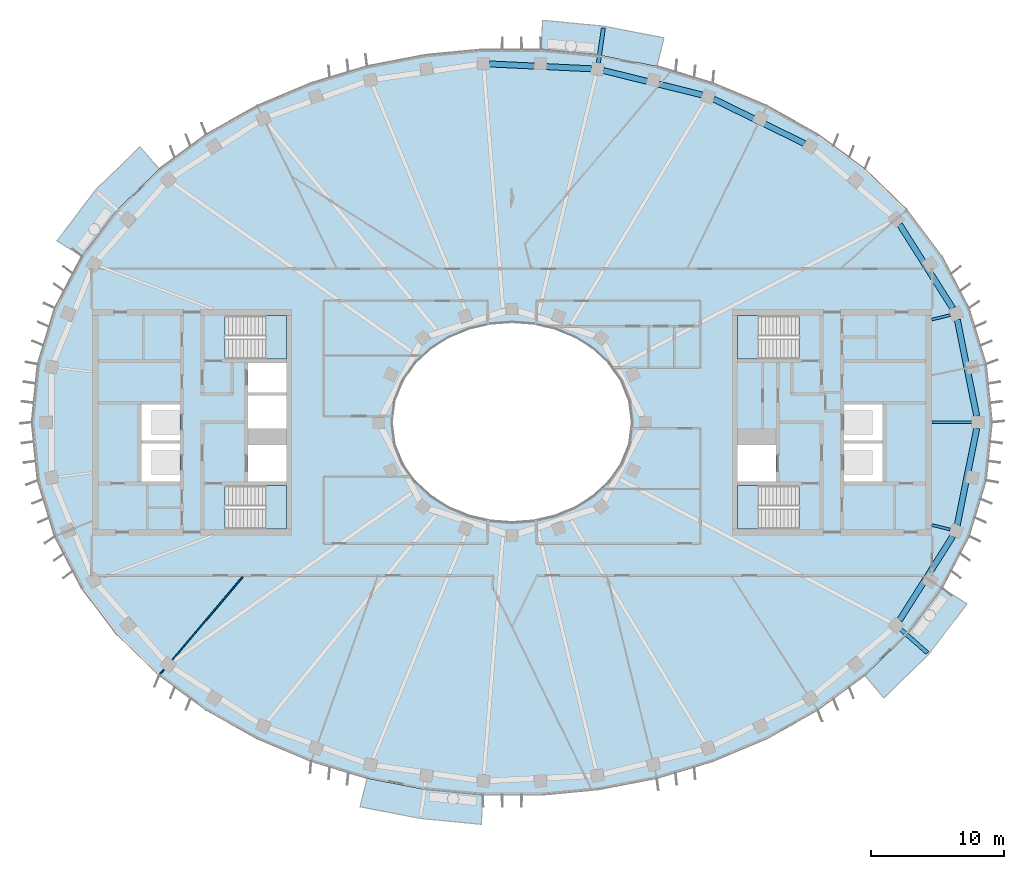
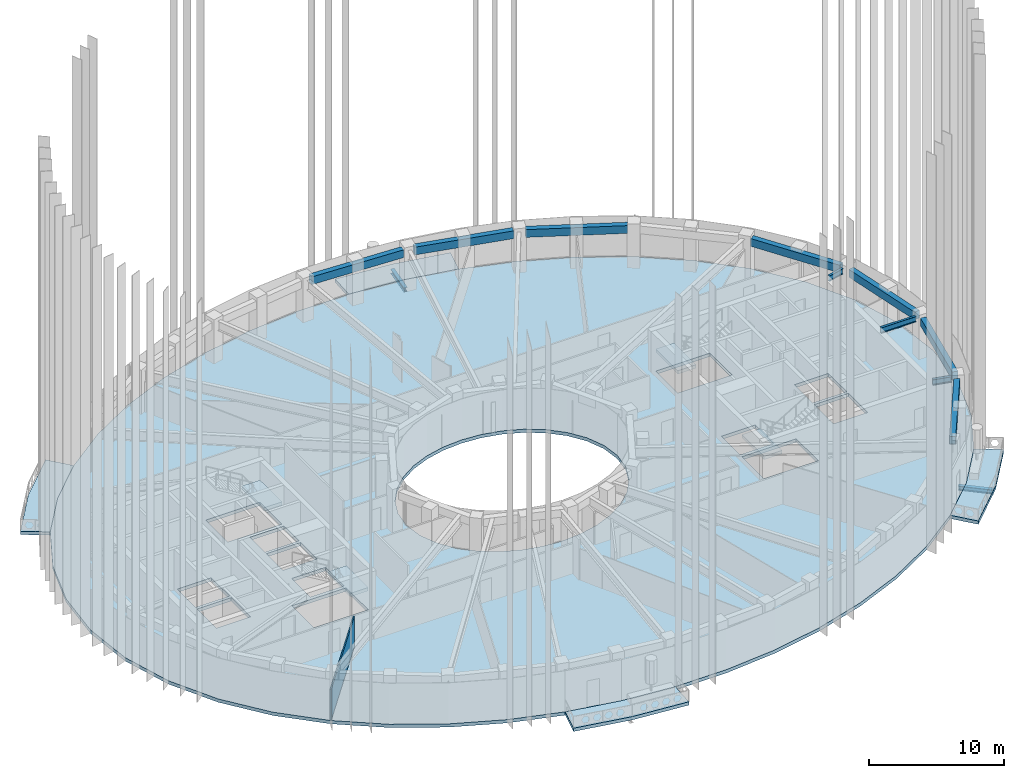
# One storey, part 2 of 17: 12 beams, 9 slabs, 1 wall, 4 elements without a shape of their own.
"""IFC4 building model written with IfcOpenShell, lengths in metres."""

from ifc_helpers import new_model, si_unit, direction, frame, frame_2d, origin, origin_2d, place, context, subcontext, project, spatial, polyline, rectangle, i_section, outline, extrude, material, layer, layer_set, material_profile, profile_set, type_object, element, aggregate, save


model = new_model("IFC4")

# Units and contexts
model_context = context("Model", 3, precision=1e-05, world=origin(), true_north=direction((0.0, 1.0)))
body_context = subcontext(model_context, "Body", "Model", "MODEL_VIEW")
ifc_project = project(units=[si_unit("LENGTHUNIT", "METRE"), si_unit("AREAUNIT", "SQUARE_METRE"), si_unit("VOLUMEUNIT", "CUBIC_METRE"), si_unit("PLANEANGLEUNIT", "RADIAN"), si_unit("MASSUNIT", "GRAM", prefix="KILO")], contexts=[model_context])

# Site, building, storey
site_placement = place(None, origin())
site = spatial("IfcSite", under=ifc_project, at=site_placement, CompositionType="ELEMENT")
building_placement = place(site_placement, origin())
building = spatial("IfcBuilding", under=site, at=building_placement, Name="Noorbagh Ring Tower", CompositionType="ELEMENT")
storey_placement = place(building_placement, frame((0.0, 0.0, 291.0)))
storey = spatial("IfcBuildingStorey", under=building, at=storey_placement, Name="L62", CompositionType="ELEMENT", Elevation=291.0)

# Beams
ifc_material_1 = material(Name="Steel S355", Category="steel")
ifc_material_profile_1 = material_profile(ifc_material_1, i_section(OverallWidth=0.300048828125, OverallDepth=0.39990234375, WebThickness=0.013427734375, FlangeThickness=0.02392578125, FilletRadius=0.027099609375, at=origin_2d()), Name="HEB400")
ifc_profile_set_1 = profile_set([ifc_material_profile_1], Name="Steel S355")
beam_type_1 = type_object("IfcBeamType", Name="STR-BALCONY-BRACKET-HEB400", PredefinedType="BEAM", material=ifc_profile_set_1)
beam_1_placement = place(storey_placement, frame((6.474365234375, 26.941162109375, -0.5), z_axis=(0.143047035154, 0.989715891422, 0.0), x_axis=(-0.989715891422, 0.143047035154, 0.0)))
element("IfcBeam", 1, at=beam_1_placement, inside=storey, type_object=beam_type_1, Name="Balcony bracket beam BN03", PredefinedType="BEAM", context=body_context, shape_type="SweptSolid", body=[
    extrude(i_section(OverallWidth=0.300048828125, OverallDepth=0.39990234375, WebThickness=0.013427734375, FlangeThickness=0.02392578125, FilletRadius=0.027099609375, at=origin_2d()), origin(), (0.0, 0.0, 1.0), 2.64892578125),
])
beam_2_placement = place(storey_placement, frame((29.15966796875, -15.531982421875, -0.5), z_axis=(0.749056248736, -0.662506404671, 0.0), x_axis=(0.662506404671, 0.749056248736, 0.0)))
element("IfcBeam", 2, at=beam_2_placement, inside=storey, type_object=beam_type_1, Name="Balcony bracket beam BS06", PredefinedType="BEAM", context=body_context, shape_type="SweptSolid", body=[
    extrude(i_section(OverallWidth=0.300048828125, OverallDepth=0.39990234375, WebThickness=0.013427734375, FlangeThickness=0.02392578125, FilletRadius=0.027099609375, at=origin_2d()), origin(), (0.0, 0.0, 1.0), 2.654296875),
])
ifc_material_2 = material(Name="Steel S355", Category="steel")
ifc_material_profile_2 = material_profile(ifc_material_2, i_section(OverallWidth=0.199951171875, OverallDepth=0.5, WebThickness=0.01025390625, FlangeThickness=0.01611328125, FilletRadius=0.02099609375, at=origin_2d()), Name="IPE500")
ifc_profile_set_2 = profile_set([ifc_material_profile_2], Name="Steel S355")
beam_type_2 = type_object("IfcBeamType", Name="STR-RAD-IPE500", PredefinedType="BEAM", material=ifc_profile_set_2)
beam_3_placement = place(storey_placement, frame((34.48974609375, 0.0, 3.449951171875), z_axis=(-1.0, 0.0, 0.0), x_axis=(0.0, -1.0, 0.0)))
element("IfcBeam", 3, at=beam_3_placement, inside=storey, type_object=beam_type_2, Name="L62/bm/RD01", PredefinedType="BEAM", context=body_context, shape_type="SweptSolid", body=[
    extrude(i_section(OverallWidth=0.199951171875, OverallDepth=0.5, WebThickness=0.01025390625, FlangeThickness=0.01611328125, FilletRadius=0.02099609375, at=origin_2d()), origin(), (0.0, 0.0, 1.0), 3.009765625),
])
for number, where, z_axis, x_axis, name in (
    (4, (32.858154296875, 8.0400390625, 3.449951171875), (-0.971335445274, -0.237712962949, 0.0), (0.237712962949, -0.971335445274, 0.0), "L62/bm/RD03"),
    (5, (32.858154296875, -8.0400390625, 3.449951171875), (-0.971335445274, 0.237712962949, 0.0), (-0.237712962949, -0.971335445274, 0.0), "L62/bm/RD45"),
):
    element("IfcBeam", number, at=place(storey_placement, frame(where, z_axis=z_axis, x_axis=x_axis)), inside=storey, type_object=beam_type_2, Name=name, PredefinedType="BEAM", context=body_context, shape_type="SweptSolid", body=[
        extrude(i_section(OverallWidth=0.199951171875, OverallDepth=0.5, WebThickness=0.01025390625, FlangeThickness=0.01611328125, FilletRadius=0.02099609375, at=origin_2d()), origin(), (0.0, 0.0, 1.0), 1.41845703125),
    ])
ifc_material_3 = material(Name="Concrete C40/50", Category="concrete")
ifc_material_profile_3 = material_profile(ifc_material_3, rectangle(XDim=0.449951171875, YDim=0.699951171875, at=origin_2d()), Name="RC450x700")
ifc_profile_set_3 = profile_set([ifc_material_profile_3], Name="Concrete C40/50")
beam_type_3 = type_object("IfcBeamType", Name="STR-SB-RC450x700-C40-50", PredefinedType="BEAM", material=ifc_profile_set_3)
beam_4_placement = place(storey_placement, frame((34.85302734375, 0.455322265625, 3.35009765625), z_axis=(-0.197209573264, 0.980361353896, 0.0), x_axis=(-0.980361353896, -0.197209573264, 0.0)))
element("IfcBeam", 6, at=beam_4_placement, inside=storey, type_object=beam_type_3, Name="L62/bm/SP01", PredefinedType="BEAM", context=body_context, shape_type="SweptSolid", body=[
    extrude(rectangle(XDim=0.449951171875, YDim=0.699951171875, at=origin_2d()), origin(), (0.0, 0.0, 1.0), 7.384521484375),
])
beam_5_placement = place(storey_placement, frame((33.0576171875, 8.5400390625, 3.35009765625), z_axis=(-0.535175885378, 0.84474065352, 0.0), x_axis=(-0.84474065352, -0.535175885378, 0.0)))
element("IfcBeam", 7, at=beam_5_placement, inside=storey, type_object=beam_type_3, Name="L62/bm/SP03", PredefinedType="BEAM", context=body_context, shape_type="SweptSolid", body=[
    extrude(rectangle(XDim=0.449951171875, YDim=0.699951171875, at=origin_2d()), origin(), (0.0, 0.0, 1.0), 7.459228515625),
])
beam_6_placement = place(storey_placement, frame((21.9501953125, 20.9013671875, 3.35009765625), z_axis=(-0.898405762579, 0.43916635318, 0.0), x_axis=(-0.43916635318, -0.898405762579, 0.0)))
element("IfcBeam", 8, at=beam_6_placement, inside=storey, type_object=beam_type_3, Name="L62/bm/SP07", PredefinedType="BEAM", context=body_context, shape_type="SweptSolid", body=[
    extrude(rectangle(XDim=0.449951171875, YDim=0.699951171875, at=origin_2d()), origin(), (0.0, 0.0, 1.0), 7.6015625),
])
beam_7_placement = place(storey_placement, frame((14.265380859375, 24.550537109375, 3.35009765625), z_axis=(-0.970830763324, 0.239765779427, 0.0), x_axis=(-0.239765779427, -0.970830763324, 0.0)))
element("IfcBeam", 9, at=beam_7_placement, inside=storey, type_object=beam_type_3, Name="L62/bm/SP09", PredefinedType="BEAM", context=body_context, shape_type="SweptSolid", body=[
    extrude(rectangle(XDim=0.449951171875, YDim=0.699951171875, at=origin_2d()), origin(), (0.0, 0.0, 1.0), 7.634765625),
])
beam_8_placement = place(storey_placement, frame((5.95263671875, 26.5126953125, 3.35009765625), z_axis=(-0.998869653919, 0.047533298648, 0.0), x_axis=(-0.047533298648, -0.998869653919, 0.0)))
element("IfcBeam", 10, at=beam_8_placement, inside=storey, type_object=beam_type_3, Name="L62/bm/SP11", PredefinedType="BEAM", context=body_context, shape_type="SweptSolid", body=[
    extrude(rectangle(XDim=0.449951171875, YDim=0.699951171875, at=origin_2d()), origin(), (0.0, 0.0, 1.0), 7.647705078125),
])
beam_9_placement = place(storey_placement, frame((29.065673828125, -14.841064453125, 3.35009765625), z_axis=(0.535175885378, 0.84474065352, 0.0), x_axis=(-0.84474065352, 0.535175885378, 0.0)))
element("IfcBeam", 11, at=beam_9_placement, inside=storey, type_object=beam_type_3, Name="L62/bm/SP43", PredefinedType="BEAM", context=body_context, shape_type="SweptSolid", body=[
    extrude(rectangle(XDim=0.449951171875, YDim=0.699951171875, at=origin_2d()), origin(), (0.0, 0.0, 1.0), 7.459228515625),
])
beam_10_placement = place(storey_placement, frame((33.396728515625, -7.69482421875, 3.35009765625), z_axis=(0.197209573264, 0.980361353896, 0.0), x_axis=(-0.980361353896, 0.197209573264, 0.0)))
element("IfcBeam", 12, at=beam_10_placement, inside=storey, type_object=beam_type_3, Name="L62/bm/SP45", PredefinedType="BEAM", context=body_context, shape_type="SweptSolid", body=[
    extrude(rectangle(XDim=0.449951171875, YDim=0.699951171875, at=origin_2d()), origin(), (0.0, 0.0, 1.0), 7.384521484375),
])

# Stair, slab
ifc_material_4 = material(Name="Concrete C40/50", Category="concrete")
stair_type = type_object("IfcStairType", Name="CORE-STAIR", PredefinedType="HALF_TURN_STAIR", material=ifc_material_4)
stair_1_placement = place(storey_placement, origin())
stair_1 = element("IfcStair", 13, at=stair_1_placement, inside=storey, type_object=stair_type, Name="L62 Exit stair ST1", PredefinedType="HALF_TURN_STAIR")
ifc_material_5 = material(Name="Concrete C40/50", Category="concrete")
ifc_layer_1 = layer(ifc_material_5, 0.300048828125)
ifc_layer_set_1 = layer_set([ifc_layer_1], Name="Concrete C40/50")
slab_type_1 = type_object("IfcSlabType", Name="CORE-STAIR-LANDING", PredefinedType="LANDING", material=ifc_layer_set_1)
slab_1_placement = place(storey_placement, frame((0.0, 0.0, 1.699951171875)))
slab_1 = element("IfcSlab", 14, at=slab_1_placement, type_object=slab_type_1, Name="ST1 landing 1", PredefinedType="LANDING", context=body_context, shape_type="SweptSolid", body=[
    extrude(outline(polyline([(-18.449951171875, 4.75), (-16.89990234375, 4.75), (-16.89990234375, 8.0), (-18.449951171875, 8.0), (-18.449951171875, 4.75)])), origin(), (0.0, 0.0, 1.0), 0.300048828125),
])
aggregate(stair_1, [slab_1])

stair_2_placement = place(storey_placement, origin())
stair_2 = element("IfcStair", 15, at=stair_2_placement, inside=storey, type_object=stair_type, Name="L62 Exit stair ST2", PredefinedType="HALF_TURN_STAIR")
slab_2_placement = place(storey_placement, frame((0.0, 0.0, 1.699951171875)))
slab_2 = element("IfcSlab", 16, at=slab_2_placement, type_object=slab_type_1, Name="ST2 landing 1", PredefinedType="LANDING", context=body_context, shape_type="SweptSolid", body=[
    extrude(outline(polyline([(-18.449951171875, -8.0), (-16.89990234375, -8.0), (-16.89990234375, -4.75), (-18.449951171875, -4.75), (-18.449951171875, -8.0)])), origin(), (0.0, 0.0, 1.0), 0.300048828125),
])
aggregate(stair_2, [slab_2])

stair_3_placement = place(storey_placement, origin())
stair_3 = element("IfcStair", 17, at=stair_3_placement, inside=storey, type_object=stair_type, Name="L62 Exit stair ST3", PredefinedType="HALF_TURN_STAIR")
slab_3_placement = place(storey_placement, frame((0.0, 0.0, 1.699951171875)))
slab_3 = element("IfcSlab", 18, at=slab_3_placement, type_object=slab_type_1, Name="ST3 landing 1", PredefinedType="LANDING", context=body_context, shape_type="SweptSolid", body=[
    extrude(outline(polyline([(18.449951171875, 8.0), (16.89990234375, 8.0), (16.89990234375, 4.75), (18.449951171875, 4.75), (18.449951171875, 8.0)])), origin(), (0.0, 0.0, 1.0), 0.300048828125),
])
aggregate(stair_3, [slab_3])

stair_4_placement = place(storey_placement, origin())
stair_4 = element("IfcStair", 19, at=stair_4_placement, inside=storey, type_object=stair_type, Name="L62 Exit stair ST4", PredefinedType="HALF_TURN_STAIR")
slab_4_placement = place(storey_placement, frame((0.0, 0.0, 1.699951171875)))
slab_4 = element("IfcSlab", 20, at=slab_4_placement, type_object=slab_type_1, Name="ST4 landing 1", PredefinedType="LANDING", context=body_context, shape_type="SweptSolid", body=[
    extrude(outline(polyline([(18.449951171875, -4.75), (16.89990234375, -4.75), (16.89990234375, -8.0), (18.449951171875, -8.0), (18.449951171875, -4.75)])), origin(), (0.0, 0.0, 1.0), 0.300048828125),
])
aggregate(stair_4, [slab_4])

# Slabs
ifc_material_6 = material(Name="Concrete C40/50", Category="concrete")
ifc_layer_2 = layer(ifc_material_6, 0.300048828125)
ifc_layer_set_2 = layer_set([ifc_layer_2], Name="Concrete C40/50")
slab_type_2 = type_object("IfcSlabType", Name="ENV-BALCONY DECK 300", PredefinedType="FLOOR", material=ifc_layer_set_2)
slab_5_placement = place(storey_placement, frame((0.0, 0.0, -0.300048828125)))
element("IfcSlab", 21, at=slab_5_placement, inside=storey, type_object=slab_type_2, Name="Tree balcony deck BN03", PredefinedType="FLOOR", context=body_context, shape_type="SweptSolid", body=[
    extrude(outline(polyline([(11.3935546875, 28.832763671875), (6.874755859375, 29.711181640625), (2.2978515625, 30.14794921875), (2.193115234375, 27.947998046875), (6.5595703125, 27.53125), (10.865234375, 26.6943359375), (11.3935546875, 28.832763671875)])), origin(), (0.0, 0.0, 1.0), 0.300048828125),
])
slab_6_placement = place(storey_placement, frame((0.0, 0.0, -0.300048828125)))
element("IfcSlab", 22, at=slab_6_placement, inside=storey, type_object=slab_type_2, Name="Tree balcony deck BN06", PredefinedType="FLOOR", context=body_context, shape_type="SweptSolid", body=[
    extrude(outline(polyline([(-27.888671875, 20.665771484375), (-31.26025390625, 17.389892578125), (-34.120361328125, 13.615966796875), (-32.255126953125, 12.434814453125), (-29.607666015625, 15.92822265625), (-26.463134765625, 18.983154296875), (-27.888671875, 20.665771484375)])), origin(), (0.0, 0.0, 1.0), 0.300048828125),
])
slab_7_placement = place(storey_placement, frame((0.0, 0.0, -0.300048828125)))
element("IfcSlab", 23, at=slab_7_placement, inside=storey, type_object=slab_type_2, Name="Tree balcony deck BS03", PredefinedType="FLOOR", context=body_context, shape_type="SweptSolid", body=[
    extrude(outline(polyline([(-11.3935546875, -28.832763671875), (-6.874755859375, -29.711181640625), (-2.2978515625, -30.14794921875), (-2.193115234375, -27.947998046875), (-6.5595703125, -27.53125), (-10.865234375, -26.6943359375), (-11.3935546875, -28.832763671875)])), origin(), (0.0, 0.0, 1.0), 0.300048828125),
])
slab_8_placement = place(storey_placement, frame((0.0, 0.0, -0.300048828125)))
element("IfcSlab", 24, at=slab_8_placement, inside=storey, type_object=slab_type_2, Name="Tree balcony deck BS06", PredefinedType="FLOOR", context=body_context, shape_type="SweptSolid", body=[
    extrude(outline(polyline([(27.888671875, -20.665771484375), (31.26025390625, -17.389892578125), (34.120361328125, -13.615966796875), (32.255126953125, -12.434814453125), (29.607666015625, -15.92822265625), (26.463134765625, -18.983154296875), (27.888671875, -20.665771484375)])), origin(), (0.0, 0.0, 1.0), 0.300048828125),
])
ifc_material_7 = material(Name="Concrete C40/50", Category="concrete")
ifc_layer_3 = layer(ifc_material_7, 0.300048828125)
ifc_layer_set_3 = layer_set([ifc_layer_3], Name="Concrete C40/50")
slab_type_3 = type_object("IfcSlabType", Name="STR-FLOOR-DECK-300", PredefinedType="FLOOR", material=ifc_layer_set_3)
slab_9_placement = place(storey_placement, frame((0.0, 0.0, -0.300048828125)))
element("IfcSlab", 25, at=slab_9_placement, inside=storey, type_object=slab_type_3, Name="L62/slab/1", PredefinedType="FLOOR", context=body_context, shape_type="SweptSolid", body=[
    extrude(outline(polyline([(36.0, 0.0), (35.56103515625, 4.358642578125), (34.281005859375, 8.548828125), (32.255126953125, 12.434814453125), (29.607666015625, 15.92822265625), (26.463134765625, 18.983154296875), (22.9326171875, 21.583740234375), (19.108154296875, 23.730224609375), (15.0654296875, 25.430419921875), (10.865234375, 26.6943359375), (6.5595703125, 27.53125), (2.193115234375, 27.947998046875), (-2.193115234375, 27.947998046875), (-6.5595703125, 27.53125), (-10.865234375, 26.6943359375), (-15.0654296875, 25.430419921875), (-19.108154296875, 23.730224609375), (-22.9326171875, 21.583740234375), (-26.463134765625, 18.983154296875), (-29.607666015625, 15.92822265625), (-32.255126953125, 12.434814453125), (-34.281005859375, 8.548828125), (-35.56103515625, 4.358642578125), (-36.0, 0.0), (-35.56103515625, -4.358642578125), (-34.281005859375, -8.548828125), (-32.255126953125, -12.434814453125), (-29.607666015625, -15.92822265625), (-26.463134765625, -18.983154296875), (-22.9326171875, -21.583740234375), (-19.108154296875, -23.730224609375), (-15.0654296875, -25.430419921875), (-10.865234375, -26.6943359375), (-6.5595703125, -27.53125), (-2.193115234375, -27.947998046875), (2.193115234375, -27.947998046875), (6.5595703125, -27.53125), (10.865234375, -26.6943359375), (15.0654296875, -25.430419921875), (19.108154296875, -23.730224609375), (22.9326171875, -21.583740234375), (26.463134765625, -18.983154296875), (29.607666015625, -15.92822265625), (32.255126953125, -12.434814453125), (34.281005859375, -8.548828125), (35.56103515625, -4.358642578125), (36.0, 0.0)]), holes=[polyline([(24.89990234375, -1.60009765625), (27.800048828125, -1.60009765625), (27.800048828125, -4.449951171875), (24.89990234375, -4.449951171875), (24.89990234375, -1.60009765625)]), polyline([(24.89990234375, 1.35009765625), (27.800048828125, 1.35009765625), (27.800048828125, -1.35009765625), (24.89990234375, -1.35009765625), (24.89990234375, 1.35009765625)]), polyline([(21.529541015625, -8.0), (16.89990234375, -8.0), (16.89990234375, -4.75), (21.529541015625, -4.75), (21.529541015625, -8.0)]), polyline([(21.529541015625, 4.75), (16.89990234375, 4.75), (16.89990234375, 8.0), (21.529541015625, 8.0), (21.529541015625, 4.75)]), polyline([(16.89990234375, -1.699951171875), (19.800048828125, -1.699951171875), (19.800048828125, -4.449951171875), (16.89990234375, -4.449951171875), (16.89990234375, -1.699951171875)]), polyline([(4.697509765625, -6.3974609375), (3.196533203125, -7.010986328125), (1.6171875, -7.3779296875), (0.0, -7.5), (-1.6171875, -7.3779296875), (-3.196533203125, -7.010986328125), (-4.697509765625, -6.3974609375), (-6.071044921875, -5.53662109375), (-7.2587890625, -4.43408203125), (-8.1904296875, -3.10888671875), (-8.79150390625, -1.605224609375), (-9.0, 0.0), (-8.79150390625, 1.605224609375), (-8.1904296875, 3.10888671875), (-7.2587890625, 4.43408203125), (-6.071044921875, 5.53662109375), (-4.697509765625, 6.3974609375), (-3.196533203125, 7.010986328125), (-1.6171875, 7.3779296875), (0.0, 7.5), (1.6171875, 7.3779296875), (3.196533203125, 7.010986328125), (4.697509765625, 6.3974609375), (6.071044921875, 5.53662109375), (7.2587890625, 4.43408203125), (8.1904296875, 3.10888671875), (8.79150390625, 1.605224609375), (9.0, 0.0), (8.79150390625, -1.605224609375), (8.1904296875, -3.10888671875), (7.2587890625, -4.43408203125), (6.071044921875, -5.53662109375), (4.697509765625, -6.3974609375)]), polyline([(-21.529541015625, -8.0), (-21.529541015625, -4.75), (-16.89990234375, -4.75), (-16.89990234375, -8.0), (-21.529541015625, -8.0)]), polyline([(-21.529541015625, 4.75), (-21.529541015625, 8.0), (-16.89990234375, 8.0), (-16.89990234375, 4.75), (-21.529541015625, 4.75)]), polyline([(-16.89990234375, -4.449951171875), (-19.800048828125, -4.449951171875), (-19.800048828125, -1.699951171875), (-16.89990234375, -1.699951171875), (-16.89990234375, -4.449951171875)]), polyline([(-16.89990234375, -0.449951171875), (-19.800048828125, -0.449951171875), (-19.800048828125, 2.0), (-16.89990234375, 2.0), (-16.89990234375, -0.449951171875)]), polyline([(-16.89990234375, 2.25), (-19.800048828125, 2.25), (-19.800048828125, 4.449951171875), (-16.89990234375, 4.449951171875), (-16.89990234375, 2.25)]), polyline([(-24.89990234375, -4.449951171875), (-27.800048828125, -4.449951171875), (-27.800048828125, -1.60009765625), (-24.89990234375, -1.60009765625), (-24.89990234375, -4.449951171875)]), polyline([(-24.89990234375, 1.35009765625), (-24.89990234375, -1.35009765625), (-27.800048828125, -1.35009765625), (-27.800048828125, 1.35009765625), (-24.89990234375, 1.35009765625)])]), origin(), (0.0, 0.0, 1.0), 0.300048828125),
])

# Wall
ifc_material_8 = material(Name="Gypsum board on steel studs", Category="steel")
ifc_layer_4 = layer(ifc_material_8, 0.10009765625)
ifc_layer_set_4 = layer_set([ifc_layer_4], Name="Gypsum board on steel studs")
wall_type = type_object("IfcWallType", Name="PARTITION 100 GYPSUM", PredefinedType="PARTITIONING", material=ifc_layer_set_4)
wall_placement = place(storey_placement, frame((-26.429931640625, -18.945068359375, 0.0), z_axis=(0.0, 0.0, 1.0), x_axis=(0.646376264927, 0.763018822926, 0.0)))
element("IfcWall", 26, at=wall_placement, inside=storey, type_object=wall_type, Name="L62/wall/P06", PredefinedType="PARTITIONING", context=body_context, shape_type="SweptSolid", body=[
    extrude(rectangle(XDim=9.6552734375, YDim=0.10009765625, at=frame_2d((4.82763671875, 0.0))), origin(), (0.0, 0.0, 1.0), 2.75),
])

save(model, "model.ifc")
